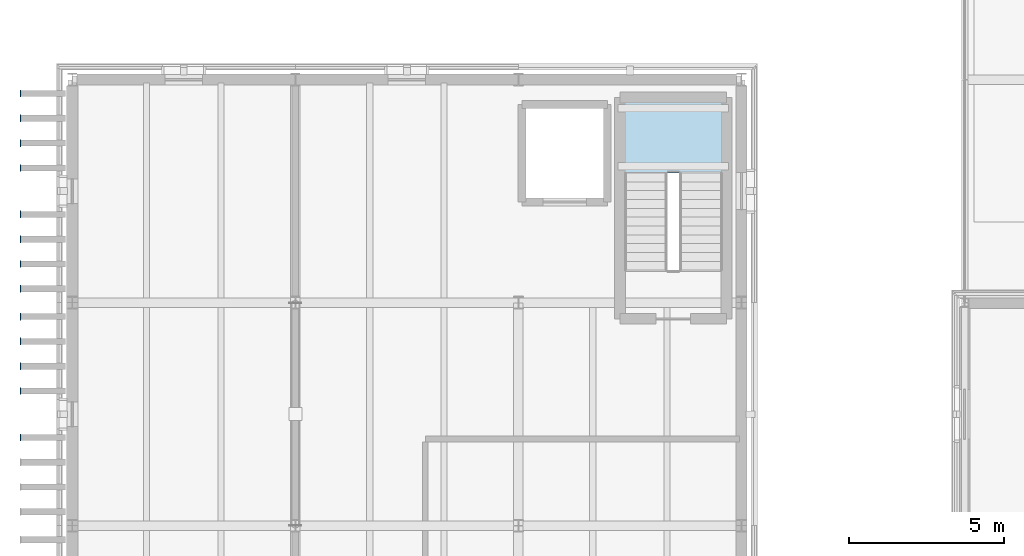
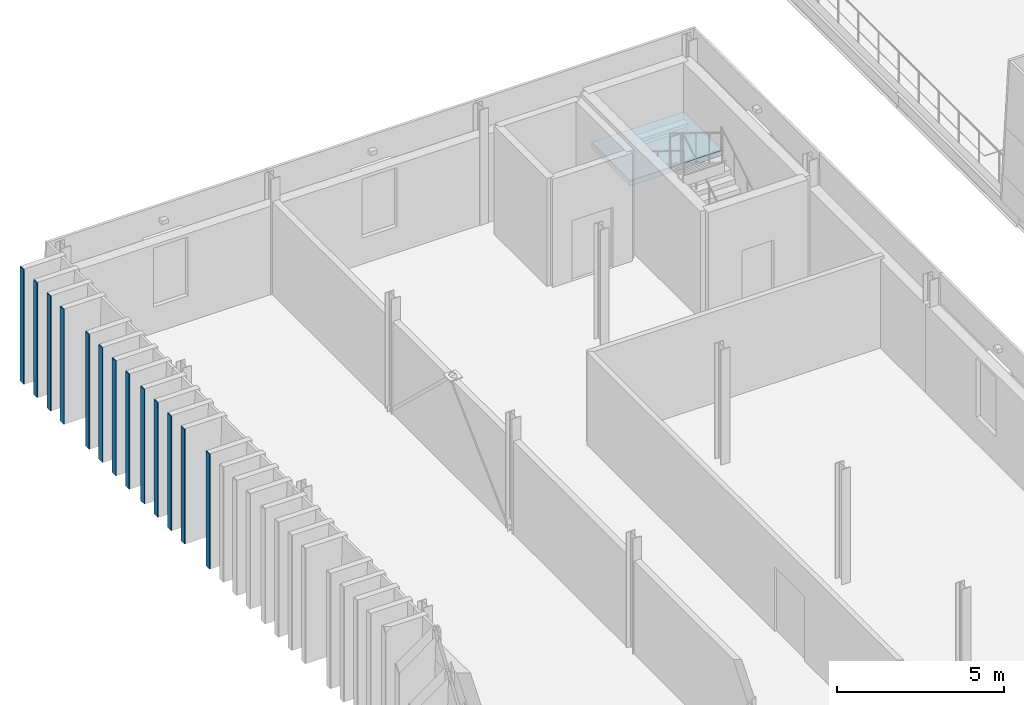
# One storey, part 30 of 66: 13 plates, 1 slab, 1 element without a shape of its own.
"""IFC4 building model written with IfcOpenShell, lengths in metres."""

from ifc_helpers import new_model, si_unit, direction, frame, origin, origin_2d, place, context, subcontext, project, spatial, polyline, rectangle, outline, extrude, material, layer, layer_set, type_object, element, aggregate, save


model = new_model("IFC4")

# Units and contexts
model_context = context("Model", 3, precision=1e-05, world=origin(), true_north=direction((0.0, 1.0)))
body_context = subcontext(model_context, "Body", "Model", "MODEL_VIEW")
ifc_project = project(units=[si_unit("LENGTHUNIT", "METRE"), si_unit("AREAUNIT", "SQUARE_METRE"), si_unit("VOLUMEUNIT", "CUBIC_METRE"), si_unit("PLANEANGLEUNIT", "RADIAN"), si_unit("MASSUNIT", "GRAM", prefix="KILO")], contexts=[model_context])

# Site, building, storey
site_placement = place(None, origin())
site = spatial("IfcSite", under=ifc_project, at=site_placement, CompositionType="ELEMENT")
building_placement = place(site_placement, origin())
building = spatial("IfcBuilding", under=site, at=building_placement, Name="Narikvali Park Central Library", CompositionType="ELEMENT")
storey_placement = place(building_placement, frame((0.0, 0.0, 18.60009765625)))
storey = spatial("IfcBuildingStorey", under=building, at=storey_placement, Name="L04", CompositionType="ELEMENT", Elevation=18.60009765625)

# Stair, slab
ifc_material_1 = material(Name="Concrete C35/45", Category="concrete")
stair_type = type_object("IfcStairType", Name="Core Enclosed Two-Flight Exit Stair", PredefinedType="HALF_TURN_STAIR", material=ifc_material_1)
stair_placement = place(storey_placement, origin())
stair = element("IfcStair", 1, at=stair_placement, inside=storey, type_object=stair_type, Name="L04 Exit Stair ST-10", PredefinedType="HALF_TURN_STAIR")
ifc_layer_1 = layer(ifc_material_1, 0.199951171875, Name="Concrete C35/45")
ifc_layer_set_1 = layer_set([ifc_layer_1], Name="Concrete C35/45")
slab_type = type_object("IfcSlabType", Name="Stair Half-Landing Concrete Slab 200", PredefinedType="LANDING", material=ifc_layer_set_1)
slab_placement = place(storey_placement, frame((0.0, 0.0, 1.89990234375)))
slab = element("IfcSlab", 2, at=slab_placement, type_object=slab_type, Name="ST-10 landing 1", PredefinedType="LANDING", context=body_context, shape_type="SweptSolid", body=[
    extrude(outline(polyline([(21.0, 104.985107421875), (21.0, 107.300048828125), (17.800048828125, 107.300048828125), (17.800048828125, 104.985107421875), (21.0, 104.985107421875)])), origin(), (0.0, 0.0, 1.0), 0.199951171875),
])
aggregate(stair, [slab])

# Plates
ifc_material_2 = material(Name="Anodised Bronze Aluminium", Category="aluminium")
ifc_layer_2 = layer(ifc_material_2, 0.028076171875, Name="Anodised Bronze Aluminium")
ifc_layer_set_2 = layer_set([ifc_layer_2], Name="Anodised Bronze Aluminium")
plate_type = type_object("IfcPlateType", Name="Vertical Brick Fin Bronze Bullnose Cap 28", PredefinedType="SHEET", material=ifc_layer_set_2)
for number, where, z_axis, x_axis, name in (
    (3, (-1.672119140625, 96.449951171875, 0.009765625), (0.0, 0.0, 1.0), (1.0, 0.0, 0.0), "West Stacks Fin Bullnose Trim 431"),
    (4, (-1.672119140625, 97.949951171875, 0.009765625), (0.0, 0.0, 1.0), (1.0, 0.0, 0.0), "West Stacks Fin Bullnose Trim 437"),
    (5, (-1.672119140625, 98.75, 0.009765625), (0.0, 0.0, 1.0), (1.0, 0.0, 0.0), "West Stacks Fin Bullnose Trim 443"),
    (6, (-1.672119140625, 99.550048828125, 0.009765625), (0.0, 0.0, 1.0), (1.0, 0.0, 0.0), "West Stacks Fin Bullnose Trim 449"),
    (7, (-1.672119140625, 100.35009765625, 0.009765625), (0.0, 0.0, 1.0), (1.0, 0.0, 0.0), "West Stacks Fin Bullnose Trim 455"),
    (8, (-1.672119140625, 101.25, 0.009765625), (0.0, 0.0, 1.0), (1.0, 0.0, 0.0), "West Stacks Fin Bullnose Trim 461"),
    (9, (-1.672119140625, 102.050048828125, 0.009765625), (0.0, 0.0, 1.0), (1.0, 0.0, 0.0), "West Stacks Fin Bullnose Trim 467"),
    (10, (-1.672119140625, 102.85009765625, 0.009765625), (0.0, 0.0, 1.0), (1.0, 0.0, 0.0), "West Stacks Fin Bullnose Trim 473"),
    (11, (-1.672119140625, 103.64990234375, 0.009765625), (0.0, 0.0, 1.0), (1.0, 0.0, 0.0), "West Stacks Fin Bullnose Trim 479"),
    (12, (-1.672119140625, 105.14990234375, 0.009765625), (0.0, 0.0, 1.0), (1.0, 0.0, 0.0), "West Stacks Fin Bullnose Trim 485"),
    (13, (-1.672119140625, 105.949951171875, 0.009765625), (0.0, 0.0, 1.0), (1.0, 0.0, 0.0), "West Stacks Fin Bullnose Trim 491"),
    (14, (-1.672119140625, 106.75, 0.009765625), (0.0, 0.0, 1.0), (1.0, 0.0, 0.0), "West Stacks Fin Bullnose Trim 497"),
    (15, (-1.672119140625, 107.550048828125, 0.009765625), (0.0, 0.0, 1.0), (1.0, 0.0, 0.0), "West Stacks Fin Bullnose Trim 503"),
):
    element("IfcPlate", number, at=place(storey_placement, frame(where, z_axis=z_axis, x_axis=x_axis)), inside=storey, type_object=plate_type, Name=name, PredefinedType="SHEET", context=body_context, shape_type="SweptSolid", body=[
        extrude(rectangle(XDim=0.028076171875, YDim=0.219970703125, at=origin_2d()), origin(), (0.0, 0.0, 1.0), 4.179931640625),
    ])

save(model, "model.ifc")
